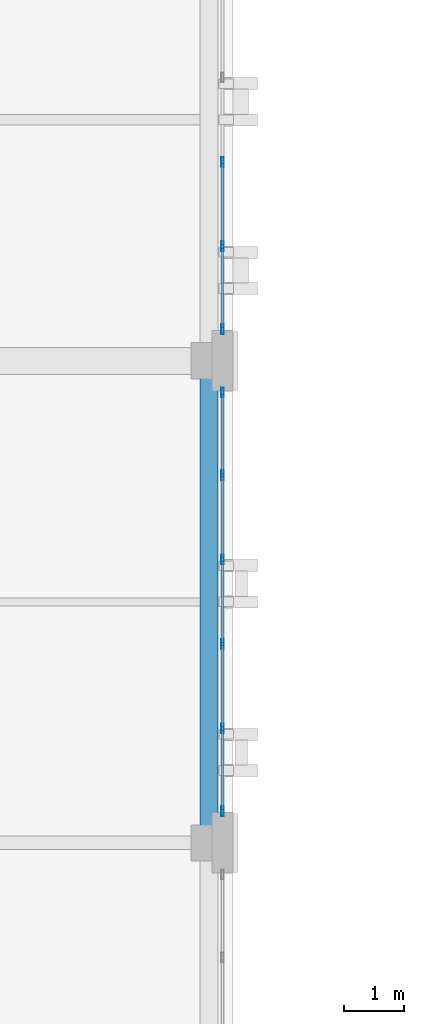
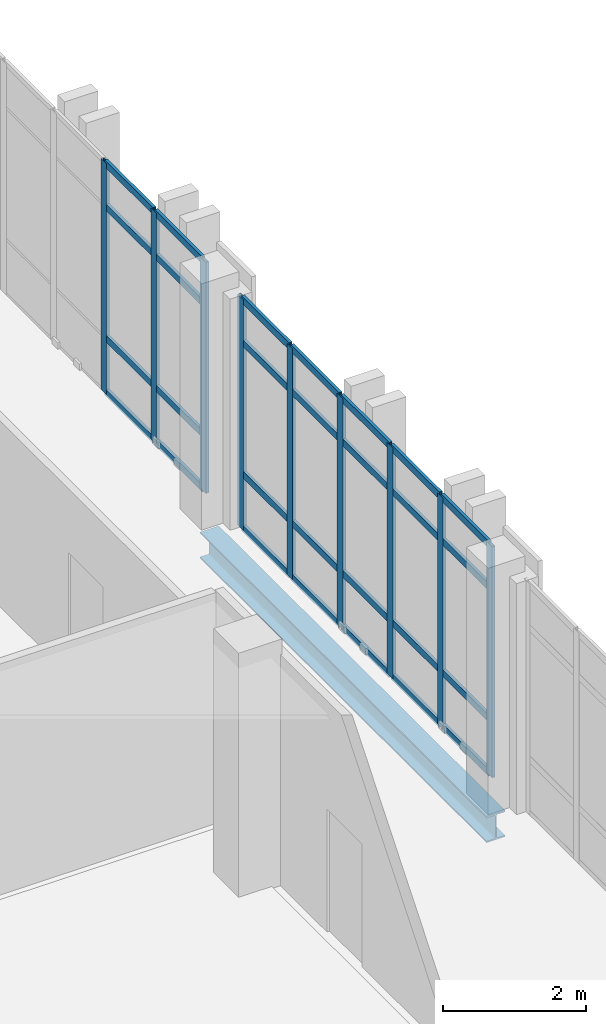
# One storey, part 15 of 48: 37 members, 1 beam, 2 elements without a shape of their own.
"""IFC4 building model written with IfcOpenShell, lengths in metres."""

from ifc_helpers import new_model, si_unit, direction, frame, origin, origin_2d, place, context, subcontext, project, spatial, hollow_rectangle, i_section, extrude, material, layer, layer_set, material_profile, profile_set, type_object, element, aggregate, save


model = new_model("IFC4")

# Units and contexts
model_context = context("Model", 3, precision=1e-05, world=origin(), true_north=direction((0.0, 1.0)))
body_context = subcontext(model_context, "Body", "Model", "MODEL_VIEW")
ifc_project = project(units=[si_unit("LENGTHUNIT", "METRE"), si_unit("AREAUNIT", "SQUARE_METRE"), si_unit("VOLUMEUNIT", "CUBIC_METRE"), si_unit("PLANEANGLEUNIT", "RADIAN"), si_unit("MASSUNIT", "GRAM", prefix="KILO")], contexts=[model_context])

# Site, building, storey
site_placement = place(None, origin())
site = spatial("IfcSite", under=ifc_project, at=site_placement, CompositionType="ELEMENT")
building_placement = place(site_placement, origin())
building = spatial("IfcBuilding", under=site, at=building_placement, Name="Qalavern Law Courts", CompositionType="ELEMENT")
storey_placement = place(building_placement, frame((0.0, 0.0, 31.199951171875)))
storey = spatial("IfcBuildingStorey", under=building, at=storey_placement, Name="L07", CompositionType="ELEMENT", Elevation=31.199951171875)

# Curtain wall, members
ifc_material_1 = material(Name="Anodised aluminium and insulated glazing", Category="aluminium")
ifc_layer = layer(ifc_material_1, 0.159912109375)
ifc_layer_set = layer_set([ifc_layer], Name="Anodised aluminium and insulated glazing")
curtain_wall_type = type_object("IfcCurtainWallType", Name="ENV-CW-CHAMB", PredefinedType="USERDEFINED", material=ifc_layer_set)
curtain_wall_1_placement = place(storey_placement, origin())
curtain_wall_1 = element("IfcCurtainWall", 1, at=curtain_wall_1_placement, inside=storey, type_object=curtain_wall_type, Name="V3 unitised curtain wall L07 east 3", ObjectType="UNITISED CURTAIN WALL", PredefinedType="USERDEFINED")
ifc_material_2 = material(Name="Anodised aluminium", Category="aluminium")
ifc_material_profile_1 = material_profile(ifc_material_2, hollow_rectangle(XDim=0.048095703125, YDim=0.159912109375, WallThickness=0.00390625, at=origin_2d()), Name="ALU MULLION 48x160")
ifc_profile_set_1 = profile_set([ifc_material_profile_1], Name="Anodised aluminium")
member_type_1 = type_object("IfcMemberType", Name="ENV-CWM-48x160", PredefinedType="MULLION", material=ifc_profile_set_1)
member_1_placement = place(storey_placement, frame((18.62255859375, 57.924072265625, 0.0), z_axis=(0.0, 0.0, 1.0), x_axis=(-1.0, 0.0, 0.0)))
member_1 = element("IfcMember", 2, at=member_1_placement, type_object=member_type_1, Name="CW-04 mullion 1", PredefinedType="MULLION", context=body_context, shape_type="SweptSolid", body=[
    extrude(hollow_rectangle(XDim=0.048095703125, YDim=0.159912109375, WallThickness=0.00390625, at=origin_2d()), origin(), (0.0, 0.0, 1.0), 3.93994140625),
])
member_2_placement = place(storey_placement, frame((18.62255859375, 59.300048828125, 0.0), z_axis=(0.0, 0.0, 1.0), x_axis=(-1.0, 0.0, 0.0)))
member_2 = element("IfcMember", 3, at=member_2_placement, type_object=member_type_1, Name="CW-04 mullion 2", PredefinedType="MULLION", context=body_context, shape_type="SweptSolid", body=[
    extrude(hollow_rectangle(XDim=0.048095703125, YDim=0.159912109375, WallThickness=0.00390625, at=origin_2d()), origin(), (0.0, 0.0, 1.0), 3.93994140625),
])
member_3_placement = place(storey_placement, frame((18.62255859375, 60.699951171875, 0.0), z_axis=(0.0, 0.0, 1.0), x_axis=(-1.0, 0.0, 0.0)))
member_3 = element("IfcMember", 4, at=member_3_placement, type_object=member_type_1, Name="CW-04 mullion 3", PredefinedType="MULLION", context=body_context, shape_type="SweptSolid", body=[
    extrude(hollow_rectangle(XDim=0.048095703125, YDim=0.159912109375, WallThickness=0.00390625, at=origin_2d()), origin(), (0.0, 0.0, 1.0), 3.93994140625),
])
member_4_placement = place(storey_placement, frame((18.62255859375, 62.10009765625, 0.0), z_axis=(0.0, 0.0, 1.0), x_axis=(-1.0, 0.0, 0.0)))
member_4 = element("IfcMember", 5, at=member_4_placement, type_object=member_type_1, Name="CW-04 mullion 4", PredefinedType="MULLION", context=body_context, shape_type="SweptSolid", body=[
    extrude(hollow_rectangle(XDim=0.048095703125, YDim=0.159912109375, WallThickness=0.00390625, at=origin_2d()), origin(), (0.0, 0.0, 1.0), 3.93994140625),
])
member_5_placement = place(storey_placement, frame((18.62255859375, 63.5, 0.0), z_axis=(0.0, 0.0, 1.0), x_axis=(-1.0, 0.0, 0.0)))
member_5 = element("IfcMember", 6, at=member_5_placement, type_object=member_type_1, Name="CW-04 mullion 5", PredefinedType="MULLION", context=body_context, shape_type="SweptSolid", body=[
    extrude(hollow_rectangle(XDim=0.048095703125, YDim=0.159912109375, WallThickness=0.00390625, at=origin_2d()), origin(), (0.0, 0.0, 1.0), 3.93994140625),
])
member_6_placement = place(storey_placement, frame((18.62255859375, 64.8759765625, 0.0), z_axis=(0.0, 0.0, 1.0), x_axis=(-1.0, 0.0, 0.0)))
member_6 = element("IfcMember", 7, at=member_6_placement, type_object=member_type_1, Name="CW-04 mullion 6", PredefinedType="MULLION", context=body_context, shape_type="SweptSolid", body=[
    extrude(hollow_rectangle(XDim=0.048095703125, YDim=0.159912109375, WallThickness=0.00390625, at=origin_2d()), origin(), (0.0, 0.0, 1.0), 3.93994140625),
])

curtain_wall_2_placement = place(storey_placement, origin())
curtain_wall_2 = element("IfcCurtainWall", 8, at=curtain_wall_2_placement, inside=storey, type_object=curtain_wall_type, Name="V3 unitised curtain wall L07 east 4", ObjectType="UNITISED CURTAIN WALL", PredefinedType="USERDEFINED")
member_7_placement = place(storey_placement, frame((18.62255859375, 65.924072265625, 0.0), z_axis=(0.0, 0.0, 1.0), x_axis=(-1.0, 0.0, 0.0)))
member_7 = element("IfcMember", 9, at=member_7_placement, type_object=member_type_1, Name="CW-04 mullion 1", PredefinedType="MULLION", context=body_context, shape_type="SweptSolid", body=[
    extrude(hollow_rectangle(XDim=0.048095703125, YDim=0.159912109375, WallThickness=0.00390625, at=origin_2d()), origin(), (0.0, 0.0, 1.0), 3.93994140625),
])
member_8_placement = place(storey_placement, frame((18.62255859375, 67.300048828125, 0.0), z_axis=(0.0, 0.0, 1.0), x_axis=(-1.0, 0.0, 0.0)))
member_8 = element("IfcMember", 10, at=member_8_placement, type_object=member_type_1, Name="CW-04 mullion 2", PredefinedType="MULLION", context=body_context, shape_type="SweptSolid", body=[
    extrude(hollow_rectangle(XDim=0.048095703125, YDim=0.159912109375, WallThickness=0.00390625, at=origin_2d()), origin(), (0.0, 0.0, 1.0), 3.93994140625),
])
member_9_placement = place(storey_placement, frame((18.62255859375, 68.699951171875, 0.0), z_axis=(0.0, 0.0, 1.0), x_axis=(-1.0, 0.0, 0.0)))
member_9 = element("IfcMember", 11, at=member_9_placement, type_object=member_type_1, Name="CW-04 mullion 3", PredefinedType="MULLION", context=body_context, shape_type="SweptSolid", body=[
    extrude(hollow_rectangle(XDim=0.048095703125, YDim=0.159912109375, WallThickness=0.00390625, at=origin_2d()), origin(), (0.0, 0.0, 1.0), 3.93994140625),
])

# Member
ifc_material_profile_2 = material_profile(ifc_material_2, hollow_rectangle(XDim=0.048095703125, YDim=0.1201171875, WallThickness=0.00390625, at=origin_2d()), Name="ALU TRANSOM 48x120")
ifc_profile_set_2 = profile_set([ifc_material_profile_2], Name="Anodised aluminium")
member_type_2 = type_object("IfcMemberType", Name="ENV-CWT-48x120", PredefinedType="USERDEFINED", material=ifc_profile_set_2)
member_10_placement = place(storey_placement, frame((18.62255859375, 57.947998046875, 0.024169921875), z_axis=(0.0, 1.0, 0.0), x_axis=(-1.0, 0.0, 0.0)))
member_10 = element("IfcMember", 12, at=member_10_placement, type_object=member_type_2, Name="CW-04 transom 1.1", ObjectType="TRANSOM", PredefinedType="USERDEFINED", context=body_context, shape_type="SweptSolid", body=[
    extrude(hollow_rectangle(XDim=0.048095703125, YDim=0.1201171875, WallThickness=0.00390625, at=origin_2d()), origin(), (0.0, 0.0, 1.0), 1.327880859375),
])

member_11_placement = place(storey_placement, frame((18.62255859375, 57.947998046875, 0.949951171875), z_axis=(0.0, 1.0, 0.0), x_axis=(-1.0, 0.0, 0.0)))
member_11 = element("IfcMember", 13, at=member_11_placement, type_object=member_type_2, Name="CW-04 transom 1.2", ObjectType="TRANSOM", PredefinedType="USERDEFINED", context=body_context, shape_type="SweptSolid", body=[
    extrude(hollow_rectangle(XDim=0.048095703125, YDim=0.1201171875, WallThickness=0.00390625, at=origin_2d()), origin(), (0.0, 0.0, 1.0), 1.327880859375),
])

member_12_placement = place(storey_placement, frame((18.62255859375, 57.947998046875, 3.18994140625), z_axis=(0.0, 1.0, 0.0), x_axis=(-1.0, 0.0, 0.0)))
member_12 = element("IfcMember", 14, at=member_12_placement, type_object=member_type_2, Name="CW-04 transom 1.3", ObjectType="TRANSOM", PredefinedType="USERDEFINED", context=body_context, shape_type="SweptSolid", body=[
    extrude(hollow_rectangle(XDim=0.048095703125, YDim=0.1201171875, WallThickness=0.00390625, at=origin_2d()), origin(), (0.0, 0.0, 1.0), 1.327880859375),
])

member_13_placement = place(storey_placement, frame((18.62255859375, 57.947998046875, 3.916015625), z_axis=(0.0, 1.0, 0.0), x_axis=(-1.0, 0.0, 0.0)))
member_13 = element("IfcMember", 15, at=member_13_placement, type_object=member_type_2, Name="CW-04 transom 1.4", ObjectType="TRANSOM", PredefinedType="USERDEFINED", context=body_context, shape_type="SweptSolid", body=[
    extrude(hollow_rectangle(XDim=0.048095703125, YDim=0.1201171875, WallThickness=0.00390625, at=origin_2d()), origin(), (0.0, 0.0, 1.0), 1.327880859375),
])

member_14_placement = place(storey_placement, frame((18.62255859375, 59.323974609375, 0.024169921875), z_axis=(0.0, 1.0, 0.0), x_axis=(-1.0, 0.0, 0.0)))
member_14 = element("IfcMember", 16, at=member_14_placement, type_object=member_type_2, Name="CW-04 transom 2.1", ObjectType="TRANSOM", PredefinedType="USERDEFINED", context=body_context, shape_type="SweptSolid", body=[
    extrude(hollow_rectangle(XDim=0.048095703125, YDim=0.1201171875, WallThickness=0.00390625, at=origin_2d()), origin(), (0.0, 0.0, 1.0), 1.35205078125),
])

member_15_placement = place(storey_placement, frame((18.62255859375, 59.323974609375, 0.949951171875), z_axis=(0.0, 1.0, 0.0), x_axis=(-1.0, 0.0, 0.0)))
member_15 = element("IfcMember", 17, at=member_15_placement, type_object=member_type_2, Name="CW-04 transom 2.2", ObjectType="TRANSOM", PredefinedType="USERDEFINED", context=body_context, shape_type="SweptSolid", body=[
    extrude(hollow_rectangle(XDim=0.048095703125, YDim=0.1201171875, WallThickness=0.00390625, at=origin_2d()), origin(), (0.0, 0.0, 1.0), 1.35205078125),
])

member_16_placement = place(storey_placement, frame((18.62255859375, 59.323974609375, 3.18994140625), z_axis=(0.0, 1.0, 0.0), x_axis=(-1.0, 0.0, 0.0)))
member_16 = element("IfcMember", 18, at=member_16_placement, type_object=member_type_2, Name="CW-04 transom 2.3", ObjectType="TRANSOM", PredefinedType="USERDEFINED", context=body_context, shape_type="SweptSolid", body=[
    extrude(hollow_rectangle(XDim=0.048095703125, YDim=0.1201171875, WallThickness=0.00390625, at=origin_2d()), origin(), (0.0, 0.0, 1.0), 1.35205078125),
])

member_17_placement = place(storey_placement, frame((18.62255859375, 59.323974609375, 3.916015625), z_axis=(0.0, 1.0, 0.0), x_axis=(-1.0, 0.0, 0.0)))
member_17 = element("IfcMember", 19, at=member_17_placement, type_object=member_type_2, Name="CW-04 transom 2.4", ObjectType="TRANSOM", PredefinedType="USERDEFINED", context=body_context, shape_type="SweptSolid", body=[
    extrude(hollow_rectangle(XDim=0.048095703125, YDim=0.1201171875, WallThickness=0.00390625, at=origin_2d()), origin(), (0.0, 0.0, 1.0), 1.35205078125),
])

member_18_placement = place(storey_placement, frame((18.62255859375, 60.72412109375, 0.024169921875), z_axis=(0.0, 1.0, 0.0), x_axis=(-1.0, 0.0, 0.0)))
member_18 = element("IfcMember", 20, at=member_18_placement, type_object=member_type_2, Name="CW-04 transom 3.1", ObjectType="TRANSOM", PredefinedType="USERDEFINED", context=body_context, shape_type="SweptSolid", body=[
    extrude(hollow_rectangle(XDim=0.048095703125, YDim=0.1201171875, WallThickness=0.00390625, at=origin_2d()), origin(), (0.0, 0.0, 1.0), 1.351806640625),
])

member_19_placement = place(storey_placement, frame((18.62255859375, 60.72412109375, 0.949951171875), z_axis=(0.0, 1.0, 0.0), x_axis=(-1.0, 0.0, 0.0)))
member_19 = element("IfcMember", 21, at=member_19_placement, type_object=member_type_2, Name="CW-04 transom 3.2", ObjectType="TRANSOM", PredefinedType="USERDEFINED", context=body_context, shape_type="SweptSolid", body=[
    extrude(hollow_rectangle(XDim=0.048095703125, YDim=0.1201171875, WallThickness=0.00390625, at=origin_2d()), origin(), (0.0, 0.0, 1.0), 1.351806640625),
])

member_20_placement = place(storey_placement, frame((18.62255859375, 60.72412109375, 3.18994140625), z_axis=(0.0, 1.0, 0.0), x_axis=(-1.0, 0.0, 0.0)))
member_20 = element("IfcMember", 22, at=member_20_placement, type_object=member_type_2, Name="CW-04 transom 3.3", ObjectType="TRANSOM", PredefinedType="USERDEFINED", context=body_context, shape_type="SweptSolid", body=[
    extrude(hollow_rectangle(XDim=0.048095703125, YDim=0.1201171875, WallThickness=0.00390625, at=origin_2d()), origin(), (0.0, 0.0, 1.0), 1.351806640625),
])

member_21_placement = place(storey_placement, frame((18.62255859375, 60.72412109375, 3.916015625), z_axis=(0.0, 1.0, 0.0), x_axis=(-1.0, 0.0, 0.0)))
member_21 = element("IfcMember", 23, at=member_21_placement, type_object=member_type_2, Name="CW-04 transom 3.4", ObjectType="TRANSOM", PredefinedType="USERDEFINED", context=body_context, shape_type="SweptSolid", body=[
    extrude(hollow_rectangle(XDim=0.048095703125, YDim=0.1201171875, WallThickness=0.00390625, at=origin_2d()), origin(), (0.0, 0.0, 1.0), 1.351806640625),
])

member_22_placement = place(storey_placement, frame((18.62255859375, 62.1240234375, 0.024169921875), z_axis=(0.0, 1.0, 0.0), x_axis=(-1.0, 0.0, 0.0)))
member_22 = element("IfcMember", 24, at=member_22_placement, type_object=member_type_2, Name="CW-04 transom 4.1", ObjectType="TRANSOM", PredefinedType="USERDEFINED", context=body_context, shape_type="SweptSolid", body=[
    extrude(hollow_rectangle(XDim=0.048095703125, YDim=0.1201171875, WallThickness=0.00390625, at=origin_2d()), origin(), (0.0, 0.0, 1.0), 1.35205078125),
])

member_23_placement = place(storey_placement, frame((18.62255859375, 62.1240234375, 0.949951171875), z_axis=(0.0, 1.0, 0.0), x_axis=(-1.0, 0.0, 0.0)))
member_23 = element("IfcMember", 25, at=member_23_placement, type_object=member_type_2, Name="CW-04 transom 4.2", ObjectType="TRANSOM", PredefinedType="USERDEFINED", context=body_context, shape_type="SweptSolid", body=[
    extrude(hollow_rectangle(XDim=0.048095703125, YDim=0.1201171875, WallThickness=0.00390625, at=origin_2d()), origin(), (0.0, 0.0, 1.0), 1.35205078125),
])

member_24_placement = place(storey_placement, frame((18.62255859375, 62.1240234375, 3.18994140625), z_axis=(0.0, 1.0, 0.0), x_axis=(-1.0, 0.0, 0.0)))
member_24 = element("IfcMember", 26, at=member_24_placement, type_object=member_type_2, Name="CW-04 transom 4.3", ObjectType="TRANSOM", PredefinedType="USERDEFINED", context=body_context, shape_type="SweptSolid", body=[
    extrude(hollow_rectangle(XDim=0.048095703125, YDim=0.1201171875, WallThickness=0.00390625, at=origin_2d()), origin(), (0.0, 0.0, 1.0), 1.35205078125),
])

member_25_placement = place(storey_placement, frame((18.62255859375, 62.1240234375, 3.916015625), z_axis=(0.0, 1.0, 0.0), x_axis=(-1.0, 0.0, 0.0)))
member_25 = element("IfcMember", 27, at=member_25_placement, type_object=member_type_2, Name="CW-04 transom 4.4", ObjectType="TRANSOM", PredefinedType="USERDEFINED", context=body_context, shape_type="SweptSolid", body=[
    extrude(hollow_rectangle(XDim=0.048095703125, YDim=0.1201171875, WallThickness=0.00390625, at=origin_2d()), origin(), (0.0, 0.0, 1.0), 1.35205078125),
])

member_26_placement = place(storey_placement, frame((18.62255859375, 63.52392578125, 0.024169921875), z_axis=(0.0, 1.0, 0.0), x_axis=(-1.0, 0.0, 0.0)))
member_26 = element("IfcMember", 28, at=member_26_placement, type_object=member_type_2, Name="CW-04 transom 5.1", ObjectType="TRANSOM", PredefinedType="USERDEFINED", context=body_context, shape_type="SweptSolid", body=[
    extrude(hollow_rectangle(XDim=0.048095703125, YDim=0.1201171875, WallThickness=0.00390625, at=origin_2d()), origin(), (0.0, 0.0, 1.0), 1.328125),
])

member_27_placement = place(storey_placement, frame((18.62255859375, 63.52392578125, 0.949951171875), z_axis=(0.0, 1.0, 0.0), x_axis=(-1.0, 0.0, 0.0)))
member_27 = element("IfcMember", 29, at=member_27_placement, type_object=member_type_2, Name="CW-04 transom 5.2", ObjectType="TRANSOM", PredefinedType="USERDEFINED", context=body_context, shape_type="SweptSolid", body=[
    extrude(hollow_rectangle(XDim=0.048095703125, YDim=0.1201171875, WallThickness=0.00390625, at=origin_2d()), origin(), (0.0, 0.0, 1.0), 1.328125),
])

member_28_placement = place(storey_placement, frame((18.62255859375, 63.52392578125, 3.18994140625), z_axis=(0.0, 1.0, 0.0), x_axis=(-1.0, 0.0, 0.0)))
member_28 = element("IfcMember", 30, at=member_28_placement, type_object=member_type_2, Name="CW-04 transom 5.3", ObjectType="TRANSOM", PredefinedType="USERDEFINED", context=body_context, shape_type="SweptSolid", body=[
    extrude(hollow_rectangle(XDim=0.048095703125, YDim=0.1201171875, WallThickness=0.00390625, at=origin_2d()), origin(), (0.0, 0.0, 1.0), 1.328125),
])

member_29_placement = place(storey_placement, frame((18.62255859375, 63.52392578125, 3.916015625), z_axis=(0.0, 1.0, 0.0), x_axis=(-1.0, 0.0, 0.0)))
member_29 = element("IfcMember", 31, at=member_29_placement, type_object=member_type_2, Name="CW-04 transom 5.4", ObjectType="TRANSOM", PredefinedType="USERDEFINED", context=body_context, shape_type="SweptSolid", body=[
    extrude(hollow_rectangle(XDim=0.048095703125, YDim=0.1201171875, WallThickness=0.00390625, at=origin_2d()), origin(), (0.0, 0.0, 1.0), 1.328125),
])

aggregate(curtain_wall_1, [member_1, member_2, member_3, member_4, member_5, member_6, member_10, member_11, member_12, member_13, member_14, member_15, member_16, member_17, member_18, member_19, member_20, member_21, member_22, member_23, member_24, member_25, member_26, member_27, member_28, member_29])

member_30_placement = place(storey_placement, frame((18.62255859375, 65.947998046875, 0.024169921875), z_axis=(0.0, 1.0, 0.0), x_axis=(-1.0, 0.0, 0.0)))
member_30 = element("IfcMember", 32, at=member_30_placement, type_object=member_type_2, Name="CW-04 transom 1.1", ObjectType="TRANSOM", PredefinedType="USERDEFINED", context=body_context, shape_type="SweptSolid", body=[
    extrude(hollow_rectangle(XDim=0.048095703125, YDim=0.1201171875, WallThickness=0.00390625, at=origin_2d()), origin(), (0.0, 0.0, 1.0), 1.327880859375),
])

member_31_placement = place(storey_placement, frame((18.62255859375, 65.947998046875, 0.949951171875), z_axis=(0.0, 1.0, 0.0), x_axis=(-1.0, 0.0, 0.0)))
member_31 = element("IfcMember", 33, at=member_31_placement, type_object=member_type_2, Name="CW-04 transom 1.2", ObjectType="TRANSOM", PredefinedType="USERDEFINED", context=body_context, shape_type="SweptSolid", body=[
    extrude(hollow_rectangle(XDim=0.048095703125, YDim=0.1201171875, WallThickness=0.00390625, at=origin_2d()), origin(), (0.0, 0.0, 1.0), 1.327880859375),
])

member_32_placement = place(storey_placement, frame((18.62255859375, 65.947998046875, 3.18994140625), z_axis=(0.0, 1.0, 0.0), x_axis=(-1.0, 0.0, 0.0)))
member_32 = element("IfcMember", 34, at=member_32_placement, type_object=member_type_2, Name="CW-04 transom 1.3", ObjectType="TRANSOM", PredefinedType="USERDEFINED", context=body_context, shape_type="SweptSolid", body=[
    extrude(hollow_rectangle(XDim=0.048095703125, YDim=0.1201171875, WallThickness=0.00390625, at=origin_2d()), origin(), (0.0, 0.0, 1.0), 1.327880859375),
])

member_33_placement = place(storey_placement, frame((18.62255859375, 65.947998046875, 3.916015625), z_axis=(0.0, 1.0, 0.0), x_axis=(-1.0, 0.0, 0.0)))
member_33 = element("IfcMember", 35, at=member_33_placement, type_object=member_type_2, Name="CW-04 transom 1.4", ObjectType="TRANSOM", PredefinedType="USERDEFINED", context=body_context, shape_type="SweptSolid", body=[
    extrude(hollow_rectangle(XDim=0.048095703125, YDim=0.1201171875, WallThickness=0.00390625, at=origin_2d()), origin(), (0.0, 0.0, 1.0), 1.327880859375),
])

member_34_placement = place(storey_placement, frame((18.62255859375, 67.323974609375, 0.024169921875), z_axis=(0.0, 1.0, 0.0), x_axis=(-1.0, 0.0, 0.0)))
member_34 = element("IfcMember", 36, at=member_34_placement, type_object=member_type_2, Name="CW-04 transom 2.1", ObjectType="TRANSOM", PredefinedType="USERDEFINED", context=body_context, shape_type="SweptSolid", body=[
    extrude(hollow_rectangle(XDim=0.048095703125, YDim=0.1201171875, WallThickness=0.00390625, at=origin_2d()), origin(), (0.0, 0.0, 1.0), 1.35205078125),
])

member_35_placement = place(storey_placement, frame((18.62255859375, 67.323974609375, 0.949951171875), z_axis=(0.0, 1.0, 0.0), x_axis=(-1.0, 0.0, 0.0)))
member_35 = element("IfcMember", 37, at=member_35_placement, type_object=member_type_2, Name="CW-04 transom 2.2", ObjectType="TRANSOM", PredefinedType="USERDEFINED", context=body_context, shape_type="SweptSolid", body=[
    extrude(hollow_rectangle(XDim=0.048095703125, YDim=0.1201171875, WallThickness=0.00390625, at=origin_2d()), origin(), (0.0, 0.0, 1.0), 1.35205078125),
])

member_36_placement = place(storey_placement, frame((18.62255859375, 67.323974609375, 3.18994140625), z_axis=(0.0, 1.0, 0.0), x_axis=(-1.0, 0.0, 0.0)))
member_36 = element("IfcMember", 38, at=member_36_placement, type_object=member_type_2, Name="CW-04 transom 2.3", ObjectType="TRANSOM", PredefinedType="USERDEFINED", context=body_context, shape_type="SweptSolid", body=[
    extrude(hollow_rectangle(XDim=0.048095703125, YDim=0.1201171875, WallThickness=0.00390625, at=origin_2d()), origin(), (0.0, 0.0, 1.0), 1.35205078125),
])

member_37_placement = place(storey_placement, frame((18.62255859375, 67.323974609375, 3.916015625), z_axis=(0.0, 1.0, 0.0), x_axis=(-1.0, 0.0, 0.0)))
member_37 = element("IfcMember", 39, at=member_37_placement, type_object=member_type_2, Name="CW-04 transom 2.4", ObjectType="TRANSOM", PredefinedType="USERDEFINED", context=body_context, shape_type="SweptSolid", body=[
    extrude(hollow_rectangle(XDim=0.048095703125, YDim=0.1201171875, WallThickness=0.00390625, at=origin_2d()), origin(), (0.0, 0.0, 1.0), 1.35205078125),
])

aggregate(curtain_wall_2, [member_7, member_8, member_9, member_30, member_31, member_32, member_33, member_34, member_35, member_36, member_37])

# Beam
ifc_material_3 = material(Name="Steel S355", Category="steel")
ifc_material_profile_3 = material_profile(ifc_material_3, i_section(OverallWidth=0.300048828125, OverallDepth=0.449951171875, WebThickness=0.013916015625, FlangeThickness=0.02587890625, FilletRadius=0.027099609375, at=origin_2d()), Name="HEB 450")
ifc_profile_set_3 = profile_set([ifc_material_profile_3], Name="Steel S355")
beam_type = type_object("IfcBeamType", Name="STR-SP-HEB450", PredefinedType="SPANDREL", material=ifc_profile_set_3)
beam_placement = place(storey_placement, frame((18.39990234375, 57.39990234375, -0.489990234375), z_axis=(0.0, 1.0, 0.0), x_axis=(-1.0, 0.0, 0.0)))
element("IfcBeam", 40, at=beam_placement, inside=storey, type_object=beam_type, Name="V3 Y-beam 3-3 L07", PredefinedType="SPANDREL", context=body_context, shape_type="SweptSolid", body=[
    extrude(i_section(OverallWidth=0.300048828125, OverallDepth=0.449951171875, WebThickness=0.013916015625, FlangeThickness=0.02587890625, FilletRadius=0.027099609375, at=origin_2d()), origin(), (0.0, 0.0, 1.0), 8.0),
])

save(model, "model.ifc")
